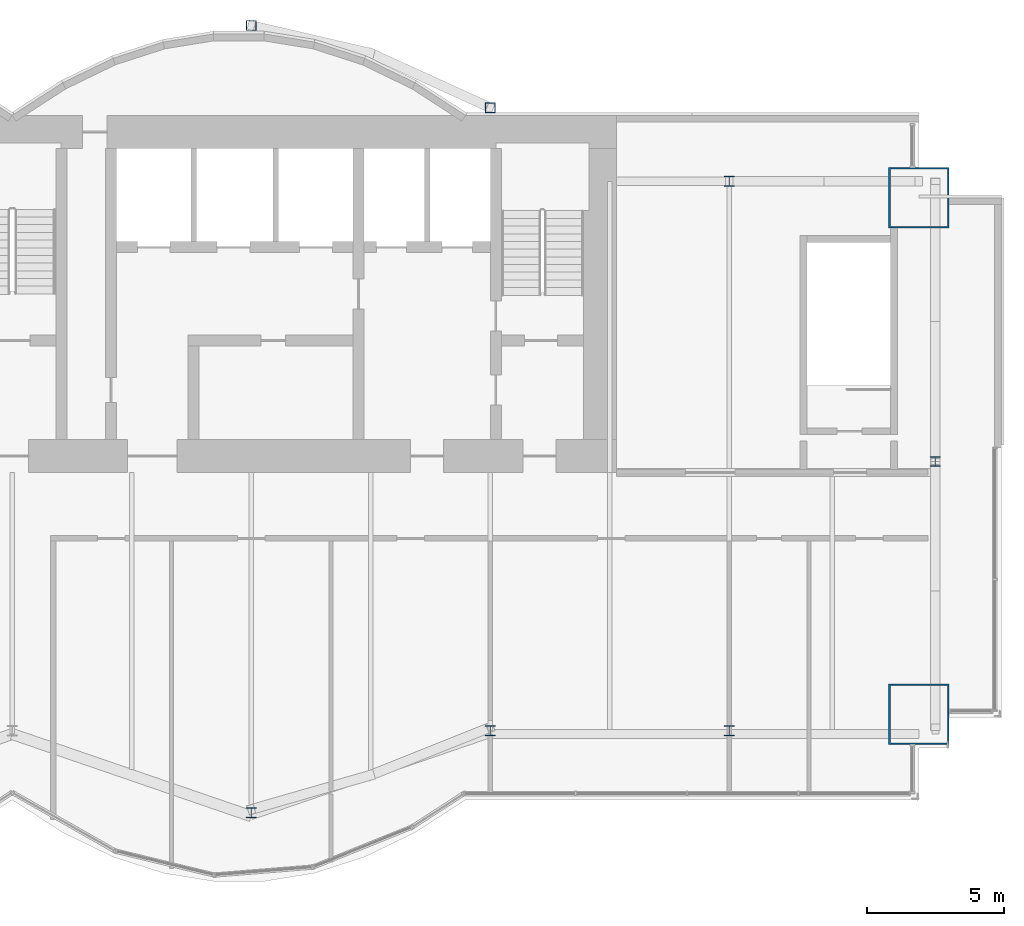
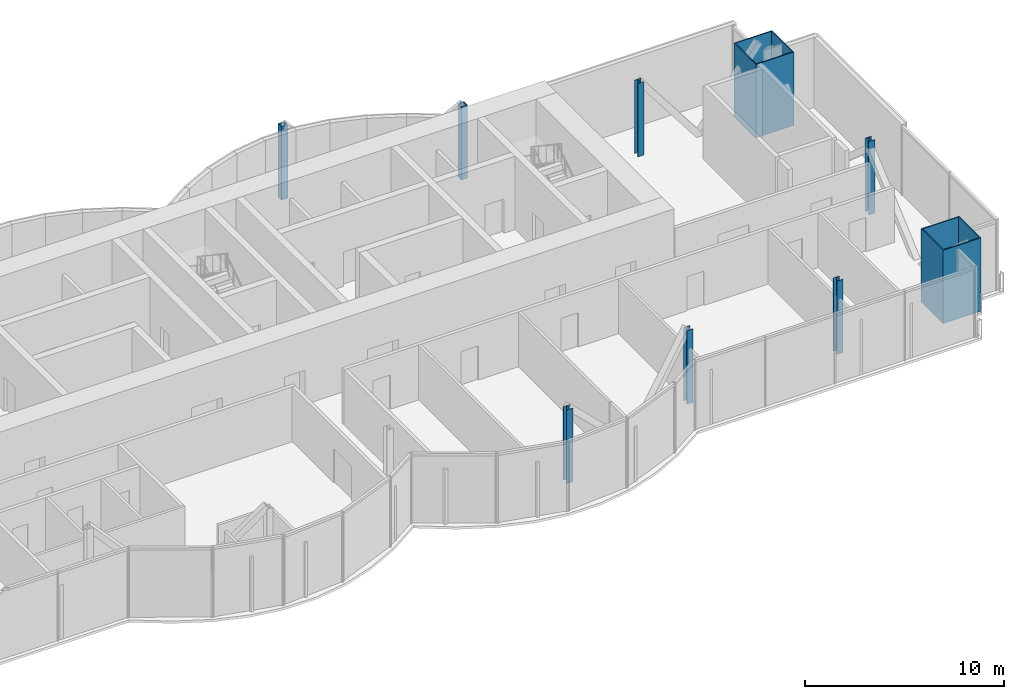
# One storey, part 2 of 16: 9 columns.
"""IFC4 building model written with IfcOpenShell, lengths in metres."""

from ifc_helpers import new_model, si_unit, direction, frame, origin, origin_2d, place, context, subcontext, project, spatial, hollow_rectangle, i_section, extrude, material, material_profile, profile_set, type_object, element, save


model = new_model("IFC4")

# Units and contexts
model_context = context("Model", 3, precision=1e-05, world=origin(), true_north=direction((0.0, 1.0)))
body_context = subcontext(model_context, "Body", "Model", "MODEL_VIEW")
ifc_project = project(units=[si_unit("LENGTHUNIT", "METRE"), si_unit("AREAUNIT", "SQUARE_METRE"), si_unit("VOLUMEUNIT", "CUBIC_METRE"), si_unit("PLANEANGLEUNIT", "RADIAN"), si_unit("MASSUNIT", "GRAM", prefix="KILO")], contexts=[model_context])

# Site, building, storey
site_placement = place(None, origin())
site = spatial("IfcSite", under=ifc_project, at=site_placement, CompositionType="ELEMENT")
building_placement = place(site_placement, origin())
building = spatial("IfcBuilding", under=site, at=building_placement, Name="Bicima Exchange Tower", CompositionType="ELEMENT")
storey_placement = place(building_placement, frame((0.0, 0.0, 338.0)))
storey = spatial("IfcBuildingStorey", under=building, at=storey_placement, Name="L76", CompositionType="ELEMENT", Elevation=338.0)

# Columns
ifc_material_1 = material(Name="Steel ASTM A572 Gr 50", Category="steel")
ifc_material_profile_1 = material_profile(ifc_material_1, hollow_rectangle(XDim=2.199951171875, YDim=2.199951171875, WallThickness=0.06005859375, at=origin_2d()))
ifc_profile_set_1 = profile_set([ifc_material_profile_1], Name="Steel ASTM A572 Gr 50")
column_type_1 = type_object("IfcColumnType", Name="Mega column BOX 2200x2200x60", PredefinedType="COLUMN", material=ifc_profile_set_1)
for number, where, z_axis, x_axis, name in (
    (1, (33.0, -21.798095703125, 0.0), (0.0, 0.0, 1.0), (1.0, 0.0, 0.0), "Mega column mega+33.0f"),
    (2, (33.0, -3.0, 0.0), (0.0, 0.0, 1.0), (1.0, 0.0, 0.0), "Mega column mega+33.0r"),
):
    element("IfcColumn", number, at=place(storey_placement, frame(where, z_axis=z_axis, x_axis=x_axis)), inside=storey, type_object=column_type_1, Name=name, PredefinedType="COLUMN", context=body_context, shape_type="SweptSolid", body=[
        extrude(hollow_rectangle(XDim=2.199951171875, YDim=2.199951171875, WallThickness=0.06005859375, at=origin_2d()), origin(), (0.0, 0.0, 1.0), 4.5),
    ])
ifc_material_2 = material(Name="Steel ASTM A992 Gr 50", Category="steel")
ifc_material_profile_2 = material_profile(ifc_material_2, i_section(OverallWidth=0.368408203125, OverallDepth=0.355712890625, WebThickness=0.01123046875, FlangeThickness=0.01806640625, at=origin_2d()))
ifc_profile_set_2 = profile_set([ifc_material_profile_2], Name="Steel ASTM A992 Gr 50")
column_type_2 = type_object("IfcColumnType", Name="Perimeter column W14x90", PredefinedType="COLUMN", material=ifc_profile_set_2)
for number, where, z_axis, x_axis, name in (
    (3, (8.699951171875, -25.38916015625, 0.0), (0.0, 0.0, 1.0), (1.0, 0.0, 0.0), "Perimeter column grav+8.7f"),
    (4, (17.39990234375, -22.39794921875, 0.0), (0.0, 0.0, 1.0), (1.0, 0.0, 0.0), "Perimeter column grav+17.4f"),
    (5, (26.10009765625, -22.39794921875, 0.0), (0.0, 0.0, 1.0), (1.0, 0.0, 0.0), "Perimeter column grav+26.1f"),
    (6, (26.10009765625, -2.39990234375, 0.0), (0.0, 0.0, 1.0), (1.0, 0.0, 0.0), "Perimeter column grav+26.1r"),
    (7, (33.60009765625, -12.60009765625, 0.0), (0.0, 0.0, 1.0), (1.0, 0.0, 0.0), "End column end+33.6e"),
):
    element("IfcColumn", number, at=place(storey_placement, frame(where, z_axis=z_axis, x_axis=x_axis)), inside=storey, type_object=column_type_2, Name=name, PredefinedType="COLUMN", context=body_context, shape_type="SweptSolid", body=[
        extrude(i_section(OverallWidth=0.368408203125, OverallDepth=0.355712890625, WebThickness=0.01123046875, FlangeThickness=0.01806640625, at=origin_2d()), origin(), (0.0, 0.0, 1.0), 4.5),
    ])
ifc_material_profile_3 = material_profile(ifc_material_1, hollow_rectangle(XDim=0.355712890625, YDim=0.355712890625, WallThickness=0.01171875, at=origin_2d()))
ifc_profile_set_3 = profile_set([ifc_material_profile_3], Name="Steel ASTM A572 Gr 50")
column_type_3 = type_object("IfcColumnType", Name="Rear pilaster HSS14x14x1/2", PredefinedType="COLUMN", material=ifc_profile_set_3)
for number, where, z_axis, x_axis, name in (
    (8, (8.699951171875, 3.26904296875, 0.0), (0.0, 0.0, 1.0), (1.0, 0.0, 0.0), "Rear pilaster rexo+8.7r"),
    (9, (17.39990234375, 0.278076171875, 0.0), (0.0, 0.0, 1.0), (1.0, 0.0, 0.0), "Rear pilaster rexo+17.4r"),
):
    element("IfcColumn", number, at=place(storey_placement, frame(where, z_axis=z_axis, x_axis=x_axis)), inside=storey, type_object=column_type_3, Name=name, PredefinedType="COLUMN", context=body_context, shape_type="SweptSolid", body=[
        extrude(hollow_rectangle(XDim=0.355712890625, YDim=0.355712890625, WallThickness=0.01171875, at=origin_2d()), origin(), (0.0, 0.0, 1.0), 4.5),
    ])

save(model, "model.ifc")
